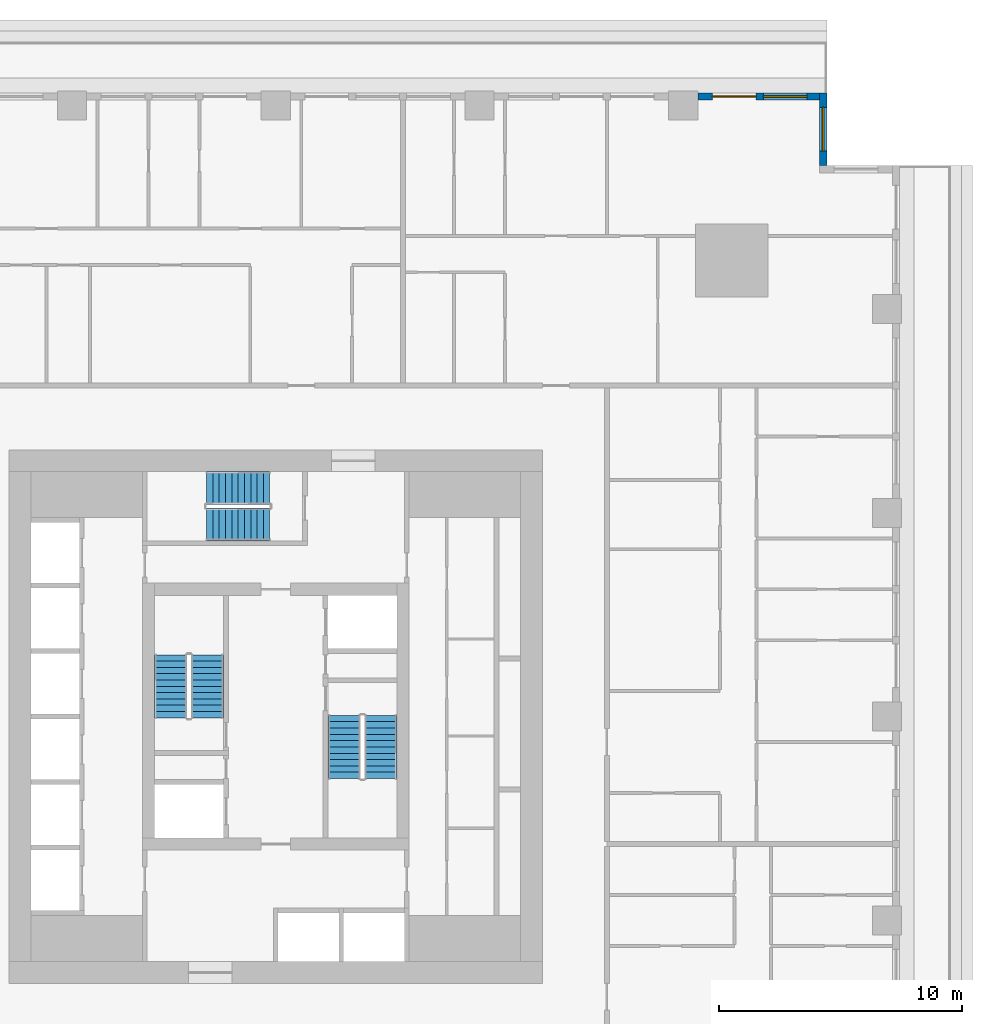
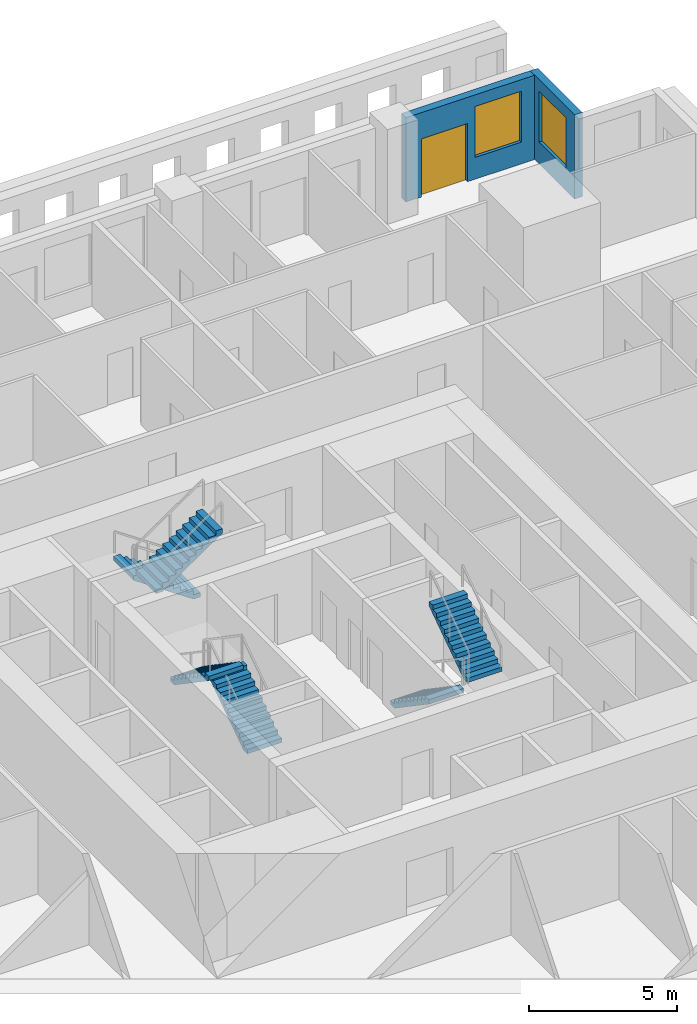
# One storey, part 10 of 15: 6 stair flights, 2 walls, 2 windows, 1 door, 3 openings, 3 elements without a shape of their own.
"""IFC4 building model written with IfcOpenShell, lengths in metres."""

from ifc_helpers import new_model, si_unit, direction, frame, frame_2d, origin, place, context, subcontext, project, spatial, polyline, rectangle, outline, extrude, material, layer, layer_set, type_object, element, fill, aggregate, save


model = new_model("IFC4")

# Units and contexts
model_context = context("Model", 3, precision=1e-05, world=origin(), true_north=direction((0.0, 1.0)))
body_context = subcontext(model_context, "Body", "Model", "MODEL_VIEW")
ifc_project = project(units=[si_unit("LENGTHUNIT", "METRE"), si_unit("AREAUNIT", "SQUARE_METRE"), si_unit("VOLUMEUNIT", "CUBIC_METRE"), si_unit("PLANEANGLEUNIT", "RADIAN"), si_unit("MASSUNIT", "GRAM", prefix="KILO")], contexts=[model_context])

# Site, building, storey
site_placement = place(None, origin())
site = spatial("IfcSite", under=ifc_project, at=site_placement, CompositionType="ELEMENT")
building_placement = place(site_placement, origin())
building = spatial("IfcBuilding", under=site, at=building_placement, Name="Khepri Terraces", CompositionType="ELEMENT")
storey_placement = place(building_placement, frame((0.0, 0.0, 34.800048828125)))
storey = spatial("IfcBuildingStorey", under=building, at=storey_placement, Name="L07", CompositionType="ELEMENT", Elevation=34.800048828125)

# Wall, opening, window
ifc_material_1 = material(Name="Precast concrete C50/60 warm stone", Category="masonry")
ifc_layer = layer(ifc_material_1, 0.300048828125, Name="Precast concrete C50/60 warm stone", Category="masonry")
ifc_layer_set = layer_set([ifc_layer], Name="Precast concrete C50/60 warm stone")
wall_type = type_object("IfcWallType", Name="WL-EXT-PRECAST-300", PredefinedType="STANDARD", material=ifc_layer_set)
wall_1_placement = place(storey_placement, frame((22.570068359375, 22.719970703125, 0.0), z_axis=(0.0, 0.0, 1.0), x_axis=(0.0, 1.0, 0.0)))
wall_1 = element("IfcWall", 1, at=wall_1_placement, inside=storey, type_object=wall_type, Name="External wall L07 E", PredefinedType="STANDARD", context=body_context, shape_type="SweptSolid", body=[
    extrude(rectangle(XDim=3.0, YDim=0.300048828125, at=frame_2d((1.5, 0.0))), origin(), (0.0, 0.0, 1.0), 3.47998046875),
])
opening_1_placement = place(wall_1_placement, frame((0.60009765625, 0.0, 0.89990234375)))
opening_1 = element("IfcOpeningElement", 2, at=opening_1_placement, cuts=wall_1, Name="Opening W1", PredefinedType="OPENING", context=body_context, shape_type="SweptSolid", body=[
    extrude(rectangle(XDim=1.800048828125, YDim=2.10009765625, at=frame_2d((0.89990234375, 1.050048828125))), frame((0.0, 0.16015625, 0.0), z_axis=(0.0, -1.0, 0.0), x_axis=(1.0, 0.0, 0.0)), (0.0, 0.0, 1.0), 0.320068359375),
])
ifc_material_2 = material(Name="Clear glass", Category="glass")
window_type = type_object("IfcWindowType", Name="WIN-RES-1800x2100", PartitioningType="SINGLE_PANEL", PredefinedType="WINDOW", material=ifc_material_2)
window_1_placement = place(opening_1_placement, origin())
window_1 = element("IfcWindow", 3, at=window_1_placement, inside=storey, type_object=window_type, Name="Window L07 E", OverallHeight=2.10009765625, OverallWidth=1.800048828125, PartitioningType="SINGLE_PANEL", PredefinedType="WINDOW", context=body_context, shape_type="SweptSolid", body=[
    extrude(rectangle(XDim=1.800048828125, YDim=2.10009765625, at=frame_2d((0.89990234375, 1.050048828125))), frame((0.0, 0.030029296875, 0.0), z_axis=(0.0, -1.0, 0.0), x_axis=(1.0, 0.0, 0.0)), (0.0, 0.0, 1.0), 0.06005859375),
])
fill(opening_1, window_1)

# Wall, openings, door, window
wall_2_placement = place(storey_placement, frame((22.419921875, 25.570068359375, 0.0), z_axis=(0.0, 0.0, 1.0), x_axis=(-1.0, 0.0, 0.0)))
wall_2 = element("IfcWall", 4, at=wall_2_placement, inside=storey, type_object=wall_type, Name="External wall L07 N", PredefinedType="STANDARD", context=body_context, shape_type="SweptSolid", body=[
    extrude(rectangle(XDim=5.02001953125, YDim=0.300048828125, at=frame_2d((2.510009765625, 0.0))), origin(), (0.0, 0.0, 1.0), 3.47998046875),
])
opening_2_placement = place(wall_2_placement, frame((0.52001953125, 0.0, 0.89990234375)))
opening_2 = element("IfcOpeningElement", 5, at=opening_2_placement, cuts=wall_2, Name="Opening W1", PredefinedType="OPENING", context=body_context, shape_type="SweptSolid", body=[
    extrude(rectangle(XDim=1.800048828125, YDim=2.10009765625, at=frame_2d((0.89990234375, 1.050048828125))), frame((0.0, 0.16015625, 0.0), z_axis=(0.0, -1.0, 0.0), x_axis=(1.0, 0.0, 0.0)), (0.0, 0.0, 1.0), 0.320068359375),
])
opening_3_placement = place(wall_2_placement, frame((2.6201171875, 0.0, 0.0)))
opening_3 = element("IfcOpeningElement", 6, at=opening_3_placement, cuts=wall_2, Name="Opening ED-L07-07", PredefinedType="OPENING", context=body_context, shape_type="SweptSolid", body=[
    extrude(rectangle(XDim=1.800048828125, YDim=2.39990234375, at=frame_2d((0.89990234375, 1.199951171875))), frame((0.0, 0.16015625, 0.0), z_axis=(0.0, -1.0, 0.0), x_axis=(1.0, 0.0, 0.0)), (0.0, 0.0, 1.0), 0.320068359375),
])
ifc_material_3 = material(Name="Anodised aluminium bronze glazed door", Category="aluminium")
door_type = type_object("IfcDoorType", Name="DR-BAL-SLIDE-1800x2400", OperationType="NOTDEFINED", PredefinedType="DOOR", material=ifc_material_3)
door_placement = place(opening_3_placement, origin())
door = element("IfcDoor", 7, at=door_placement, inside=storey, type_object=door_type, Name="Balcony door L07 N", OperationType="SLIDING_TO_RIGHT", OverallHeight=2.39990234375, OverallWidth=1.800048828125, PredefinedType="DOOR", context=body_context, shape_type="SweptSolid", body=[
    extrude(rectangle(XDim=1.800048828125, YDim=2.39990234375, at=frame_2d((0.89990234375, 1.199951171875))), frame((0.0, 0.02490234375, 0.0), z_axis=(0.0, -1.0, 0.0), x_axis=(1.0, 0.0, 0.0)), (0.0, 0.0, 1.0), 0.050048828125),
])
fill(opening_3, door)
window_2_placement = place(opening_2_placement, origin())
window_2 = element("IfcWindow", 8, at=window_2_placement, inside=storey, type_object=window_type, Name="Window L07 N", OverallHeight=2.10009765625, OverallWidth=1.800048828125, PartitioningType="SINGLE_PANEL", PredefinedType="WINDOW", context=body_context, shape_type="SweptSolid", body=[
    extrude(rectangle(XDim=1.800048828125, YDim=2.10009765625, at=frame_2d((0.89990234375, 1.050048828125))), frame((0.0, 0.030029296875, 0.0), z_axis=(0.0, -1.0, 0.0), x_axis=(1.0, 0.0, 0.0)), (0.0, 0.0, 1.0), 0.06005859375),
])
fill(opening_2, window_2)

# Stair, stair flights
ifc_material_4 = material(Name="Concrete C40/50", Category="concrete")
stair_type = type_object("IfcStairType", Name="STAIR-RC-22R", PredefinedType="HALF_TURN_STAIR", material=ifc_material_4)
stair_1_placement = place(storey_placement, origin())
stair_1 = element("IfcStair", 9, at=stair_1_placement, inside=storey, type_object=stair_type, Name="L07 Exit Stair ST-1", PredefinedType="HALF_TURN_STAIR")
stair_flight_type = type_object("IfcStairFlightType", Name="SFL-RC-177.3", PredefinedType="STRAIGHT", material=ifc_material_4)
stair_flight_1_placement = place(storey_placement, frame((-2.824951171875, -0.050048828125, 0.0), z_axis=(0.0, 0.0, 1.0), x_axis=(0.0, 1.0, 0.0)))
stair_flight_1 = element("IfcStairFlight", 10, at=stair_flight_1_placement, type_object=stair_flight_type, Name="ST-1 flight 1", NumberOfRisers=11, NumberOfTreads=10, PredefinedType="STRAIGHT", RiserHeight=0.177272727, TreadLength=0.26, context=body_context, shape_type="SweptSolid", body=[
    extrude(outline(polyline([(0.0, 0.0), (0.0, 0.17724609375), (0.260009765625, 0.17724609375), (0.260009765625, 0.3544921875), (0.52001953125, 0.3544921875), (0.52001953125, 0.53173828125), (0.780029296875, 0.53173828125), (0.780029296875, 0.708984375), (1.0400390625, 0.708984375), (1.0400390625, 0.886474609375), (1.300048828125, 0.886474609375), (1.300048828125, 1.063720703125), (1.56005859375, 1.063720703125), (1.56005859375, 1.240966796875), (1.820068359375, 1.240966796875), (1.820068359375, 1.418212890625), (2.080078125, 1.418212890625), (2.080078125, 1.595458984375), (2.340087890625, 1.595458984375), (2.340087890625, 1.772705078125), (2.60009765625, 1.772705078125), (2.60009765625, 1.949951171875), (2.60009765625, 1.59130859375), (0.26611328125, 0.0), (0.0, 0.0)])), frame((0.0, 0.675048828125, 0.0), z_axis=(0.0, -1.0, 0.0), x_axis=(1.0, 0.0, 0.0)), (0.0, 0.0, 1.0), 1.35009765625),
])
stair_flight_2_placement = place(storey_placement, frame((-4.324951171875, 2.550048828125, 1.949951171875), z_axis=(0.0, 0.0, 1.0), x_axis=(0.0, -1.0, 0.0)))
stair_flight_2 = element("IfcStairFlight", 11, at=stair_flight_2_placement, type_object=stair_flight_type, Name="ST-1 flight 2", NumberOfRisers=11, NumberOfTreads=10, PredefinedType="STRAIGHT", RiserHeight=0.177272727, TreadLength=0.26, context=body_context, shape_type="SweptSolid", body=[
    extrude(outline(polyline([(0.0, 0.0), (0.0, 0.17724609375), (0.260009765625, 0.17724609375), (0.260009765625, 0.3544921875), (0.52001953125, 0.3544921875), (0.52001953125, 0.53173828125), (0.780029296875, 0.53173828125), (0.780029296875, 0.708984375), (1.0400390625, 0.708984375), (1.0400390625, 0.886474609375), (1.300048828125, 0.886474609375), (1.300048828125, 1.063720703125), (1.56005859375, 1.063720703125), (1.56005859375, 1.240966796875), (1.820068359375, 1.240966796875), (1.820068359375, 1.418212890625), (2.080078125, 1.418212890625), (2.080078125, 1.595458984375), (2.340087890625, 1.595458984375), (2.340087890625, 1.772705078125), (2.60009765625, 1.772705078125), (2.60009765625, 1.949951171875), (2.60009765625, 1.59130859375), (0.26611328125, 0.0), (0.0, 0.0)])), frame((0.0, 0.675048828125, 0.0), z_axis=(0.0, -1.0, 0.0), x_axis=(1.0, 0.0, 0.0)), (0.0, 0.0, 1.0), 1.35009765625),
])
aggregate(stair_1, [stair_flight_1, stair_flight_2])

stair_2_placement = place(storey_placement, origin())
stair_2 = element("IfcStair", 12, at=stair_2_placement, inside=storey, type_object=stair_type, Name="L07 Exit Stair ST-2", PredefinedType="HALF_TURN_STAIR")
stair_flight_3_placement = place(storey_placement, frame((2.824951171875, 0.050048828125, 0.0), z_axis=(0.0, 0.0, 1.0), x_axis=(0.0, -1.0, 0.0)))
stair_flight_3 = element("IfcStairFlight", 13, at=stair_flight_3_placement, type_object=stair_flight_type, Name="ST-2 flight 1", NumberOfRisers=11, NumberOfTreads=10, PredefinedType="STRAIGHT", RiserHeight=0.177272727, TreadLength=0.26, context=body_context, shape_type="SweptSolid", body=[
    extrude(outline(polyline([(0.0, 0.0), (0.0, 0.17724609375), (0.260009765625, 0.17724609375), (0.260009765625, 0.3544921875), (0.52001953125, 0.3544921875), (0.52001953125, 0.53173828125), (0.780029296875, 0.53173828125), (0.780029296875, 0.708984375), (1.0400390625, 0.708984375), (1.0400390625, 0.886474609375), (1.300048828125, 0.886474609375), (1.300048828125, 1.063720703125), (1.56005859375, 1.063720703125), (1.56005859375, 1.240966796875), (1.820068359375, 1.240966796875), (1.820068359375, 1.418212890625), (2.080078125, 1.418212890625), (2.080078125, 1.595458984375), (2.340087890625, 1.595458984375), (2.340087890625, 1.772705078125), (2.60009765625, 1.772705078125), (2.60009765625, 1.949951171875), (2.60009765625, 1.59130859375), (0.26611328125, 0.0), (0.0, 0.0)])), frame((0.0, 0.675048828125, 0.0), z_axis=(0.0, -1.0, 0.0), x_axis=(1.0, 0.0, 0.0)), (0.0, 0.0, 1.0), 1.35009765625),
])
stair_flight_4_placement = place(storey_placement, frame((4.324951171875, -2.550048828125, 1.949951171875), z_axis=(0.0, 0.0, 1.0), x_axis=(0.0, 1.0, 0.0)))
stair_flight_4 = element("IfcStairFlight", 14, at=stair_flight_4_placement, type_object=stair_flight_type, Name="ST-2 flight 2", NumberOfRisers=11, NumberOfTreads=10, PredefinedType="STRAIGHT", RiserHeight=0.177272727, TreadLength=0.26, context=body_context, shape_type="SweptSolid", body=[
    extrude(outline(polyline([(0.0, 0.0), (0.0, 0.17724609375), (0.260009765625, 0.17724609375), (0.260009765625, 0.3544921875), (0.52001953125, 0.3544921875), (0.52001953125, 0.53173828125), (0.780029296875, 0.53173828125), (0.780029296875, 0.708984375), (1.0400390625, 0.708984375), (1.0400390625, 0.886474609375), (1.300048828125, 0.886474609375), (1.300048828125, 1.063720703125), (1.56005859375, 1.063720703125), (1.56005859375, 1.240966796875), (1.820068359375, 1.240966796875), (1.820068359375, 1.418212890625), (2.080078125, 1.418212890625), (2.080078125, 1.595458984375), (2.340087890625, 1.595458984375), (2.340087890625, 1.772705078125), (2.60009765625, 1.772705078125), (2.60009765625, 1.949951171875), (2.60009765625, 1.59130859375), (0.26611328125, 0.0), (0.0, 0.0)])), frame((0.0, 0.675048828125, 0.0), z_axis=(0.0, -1.0, 0.0), x_axis=(1.0, 0.0, 0.0)), (0.0, 0.0, 1.0), 1.35009765625),
])
aggregate(stair_2, [stair_flight_3, stair_flight_4])

stair_3_placement = place(storey_placement, origin())
stair_3 = element("IfcStair", 15, at=stair_3_placement, inside=storey, type_object=stair_type, Name="L07 Exit Stair ST-3", PredefinedType="HALF_TURN_STAIR")
stair_flight_5_placement = place(storey_placement, frame((-0.25, 9.425048828125, 0.0), z_axis=(0.0, 0.0, 1.0), x_axis=(-1.0, 0.0, 0.0)))
stair_flight_5 = element("IfcStairFlight", 16, at=stair_flight_5_placement, type_object=stair_flight_type, Name="ST-3 flight 1", NumberOfRisers=11, NumberOfTreads=10, PredefinedType="STRAIGHT", RiserHeight=0.177272727, TreadLength=0.26, context=body_context, shape_type="SweptSolid", body=[
    extrude(outline(polyline([(0.0, 0.0), (0.0, 0.17724609375), (0.260009765625, 0.17724609375), (0.260009765625, 0.3544921875), (0.52001953125, 0.3544921875), (0.52001953125, 0.53173828125), (0.780029296875, 0.53173828125), (0.780029296875, 0.708984375), (1.0400390625, 0.708984375), (1.0400390625, 0.886474609375), (1.300048828125, 0.886474609375), (1.300048828125, 1.063720703125), (1.56005859375, 1.063720703125), (1.56005859375, 1.240966796875), (1.820068359375, 1.240966796875), (1.820068359375, 1.418212890625), (2.080078125, 1.418212890625), (2.080078125, 1.595458984375), (2.340087890625, 1.595458984375), (2.340087890625, 1.772705078125), (2.60009765625, 1.772705078125), (2.60009765625, 1.949951171875), (2.60009765625, 1.59130859375), (0.26611328125, 0.0), (0.0, 0.0)])), frame((0.0, 0.675048828125, 0.0), z_axis=(0.0, -1.0, 0.0), x_axis=(1.0, 0.0, 0.0)), (0.0, 0.0, 1.0), 1.35009765625),
])
stair_flight_6_placement = place(storey_placement, frame((-2.85009765625, 7.925048828125, 1.949951171875), z_axis=(0.0, 0.0, 1.0), x_axis=(1.0, 0.0, 0.0)))
stair_flight_6 = element("IfcStairFlight", 17, at=stair_flight_6_placement, type_object=stair_flight_type, Name="ST-3 flight 2", NumberOfRisers=11, NumberOfTreads=10, PredefinedType="STRAIGHT", RiserHeight=0.177272727, TreadLength=0.26, context=body_context, shape_type="SweptSolid", body=[
    extrude(outline(polyline([(0.0, 0.0), (0.0, 0.17724609375), (0.260009765625, 0.17724609375), (0.260009765625, 0.3544921875), (0.52001953125, 0.3544921875), (0.52001953125, 0.53173828125), (0.780029296875, 0.53173828125), (0.780029296875, 0.708984375), (1.0400390625, 0.708984375), (1.0400390625, 0.886474609375), (1.300048828125, 0.886474609375), (1.300048828125, 1.063720703125), (1.56005859375, 1.063720703125), (1.56005859375, 1.240966796875), (1.820068359375, 1.240966796875), (1.820068359375, 1.418212890625), (2.080078125, 1.418212890625), (2.080078125, 1.595458984375), (2.340087890625, 1.595458984375), (2.340087890625, 1.772705078125), (2.60009765625, 1.772705078125), (2.60009765625, 1.949951171875), (2.60009765625, 1.59130859375), (0.26611328125, 0.0), (0.0, 0.0)])), frame((0.0, 0.675048828125, 0.0), z_axis=(0.0, -1.0, 0.0), x_axis=(1.0, 0.0, 0.0)), (0.0, 0.0, 1.0), 1.35009765625),
])
aggregate(stair_3, [stair_flight_5, stair_flight_6])

save(model, "model.ifc")
